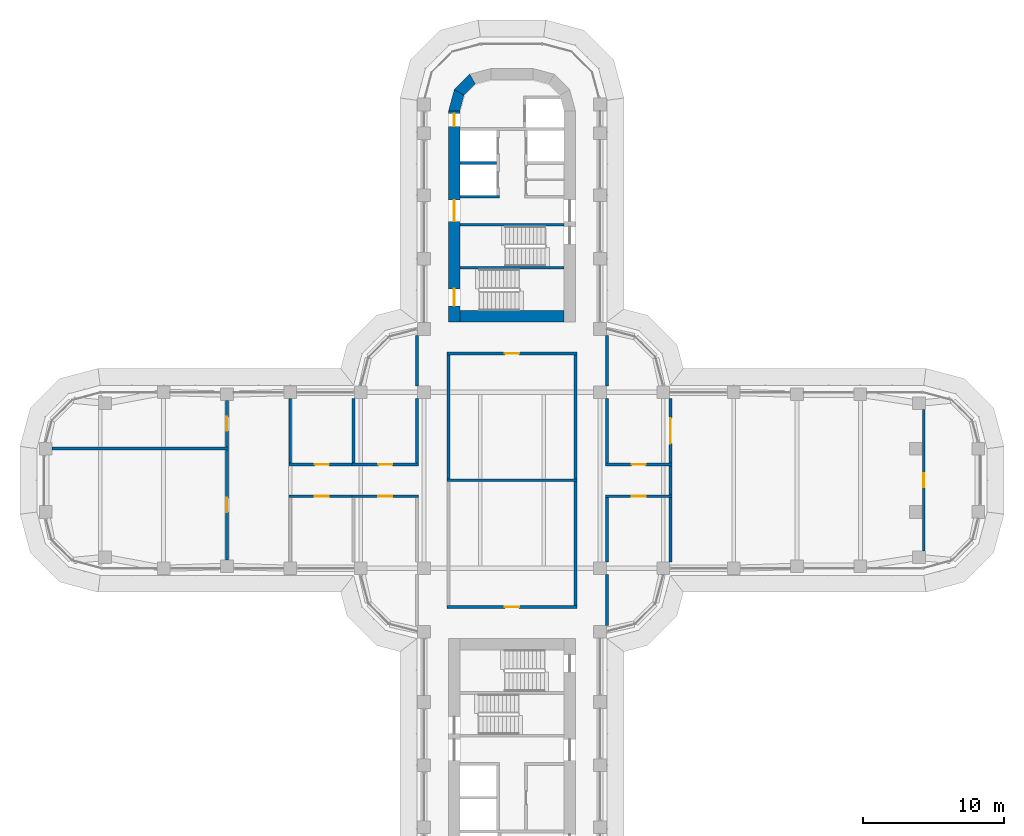
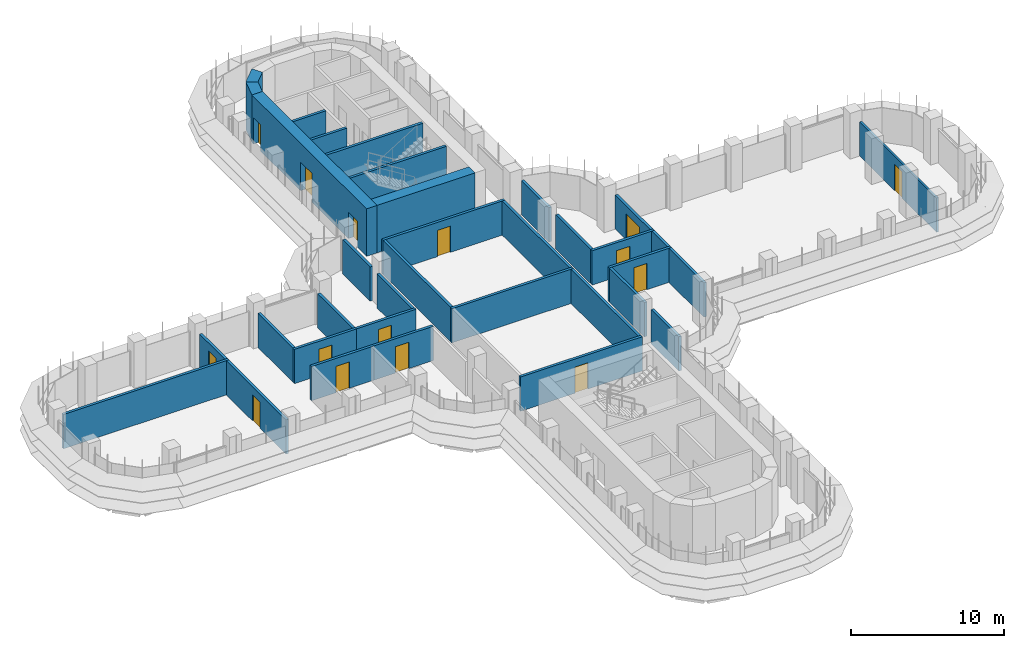
# One storey, part 16 of 21: 35 walls, 15 doors, 15 openings.
"""IFC4 building model written with IfcOpenShell, lengths in metres."""

from ifc_helpers import new_model, si_unit, direction, frame, frame_2d, origin, place, context, subcontext, project, spatial, polyline, rectangle, outline, extrude, material, layer, layer_set, type_object, element, fill, save


model = new_model("IFC4")

# Units and contexts
model_context = context("Model", 3, precision=1e-05, world=origin(), true_north=direction((0.0, 1.0)))
body_context = subcontext(model_context, "Body", "Model", "MODEL_VIEW")
ifc_project = project(units=[si_unit("LENGTHUNIT", "METRE"), si_unit("AREAUNIT", "SQUARE_METRE"), si_unit("VOLUMEUNIT", "CUBIC_METRE"), si_unit("PLANEANGLEUNIT", "RADIAN"), si_unit("MASSUNIT", "GRAM", prefix="KILO")], contexts=[model_context])

# Site, building, storey
site_placement = place(None, origin())
site = spatial("IfcSite", under=ifc_project, at=site_placement, CompositionType="ELEMENT")
building_placement = place(site_placement, origin())
building = spatial("IfcBuilding", under=site, at=building_placement, Name="Zarbagh Exchange Tower", CompositionType="ELEMENT")
storey_placement = place(building_placement, frame((0.0, 0.0, 120.800048828125)))
storey = spatial("IfcBuildingStorey", under=building, at=storey_placement, Name="L28", CompositionType="ELEMENT", Elevation=120.800048828125)

# Wall, opening, door
ifc_material_1 = material(Name="Plasterboard partition")
ifc_layer_1 = layer(ifc_material_1, 0.14990234375)
ifc_layer_set_1 = layer_set([ifc_layer_1], Name="PARTITION 150")
wall_type_1 = type_object("IfcWallType", Name="PARTITION 150", PredefinedType="PARTITIONING", material=ifc_layer_set_1)
wall_1_placement = place(storey_placement, frame((29.25, 5.02490234375, 0.0), z_axis=(0.0, 0.0, 1.0), x_axis=(0.0, -1.0, 0.0)))
wall_1 = element("IfcWall", 1, at=wall_1_placement, inside=storey, type_object=wall_type_1, Name="Partition W-1021", PredefinedType="PARTITIONING", context=body_context, shape_type="SweptSolid", body=[
    extrude(rectangle(XDim=10.0498046875, YDim=0.14990234375, at=frame_2d((5.02490234375, 0.0))), origin(), (0.0, 0.0, 1.0), 2.738037109375),
])
opening_1_placement = place(wall_1_placement, frame((4.52490234375, 0.0, 0.0)))
opening_1 = element("IfcOpeningElement", 2, at=opening_1_placement, cuts=wall_1, Name="Opening D-1003", PredefinedType="OPENING", context=body_context, shape_type="SweptSolid", body=[
    extrude(rectangle(XDim=1.0, YDim=2.10009765625, at=frame_2d((0.5, 1.050048828125))), frame((0.0, 0.0849609375, 0.0), z_axis=(0.0, -1.0, 0.0), x_axis=(1.0, 0.0, 0.0)), (0.0, 0.0, 1.0), 0.169921875),
])
ifc_material_2 = material(Name="Timber door leaf", Category="wood")
door_type_1 = type_object("IfcDoorType", Name="DOOR 1000 X 2100", OperationType="NOTDEFINED", PredefinedType="DOOR", material=ifc_material_2)
door_1_placement = place(opening_1_placement, origin())
door_1 = element("IfcDoor", 3, at=door_1_placement, inside=storey, type_object=door_type_1, Name="Door D-1003", OperationType="SINGLE_SWING_RIGHT", OverallHeight=2.10009765625, OverallWidth=1.0, PredefinedType="DOOR", context=body_context, shape_type="SweptSolid", body=[
    extrude(rectangle(XDim=1.0, YDim=2.10009765625, at=frame_2d((0.5, 1.050048828125))), frame((0.0, 0.02490234375, 0.0), z_axis=(0.0, -1.0, 0.0), x_axis=(1.0, 0.0, 0.0)), (0.0, 0.0, 1.0), 0.050048828125),
])
fill(opening_1, door_1)

# Walls
ifc_material_3 = material(Name="Fire-rated plasterboard partition")
ifc_layer_2 = layer(ifc_material_3, 0.199951171875)
ifc_layer_set_2 = layer_set([ifc_layer_2], Name="RATED PARTITION 200")
wall_type_2 = type_object("IfcWallType", Name="RATED PARTITION 200", PredefinedType="PARTITIONING", material=ifc_layer_set_2)
wall_2_placement = place(storey_placement, frame((-4.5, 0.10009765625, 0.0), z_axis=(0.0, 0.0, 1.0), x_axis=(0.0, 1.0, 0.0)))
element("IfcWall", 4, at=wall_2_placement, inside=storey, type_object=wall_type_2, Name="Partition W-1001", PredefinedType="PARTITIONING", context=body_context, shape_type="SweptSolid", body=[
    extrude(rectangle(XDim=8.7998046875, YDim=0.199951171875, at=frame_2d((4.39990234375, 0.0))), origin(), (0.0, 0.0, 1.0), 2.738037109375),
])
wall_3_placement = place(storey_placement, frame((-6.75, 1.22509765625, 0.0), z_axis=(0.0, 0.0, 1.0), x_axis=(0.0, 1.0, 0.0)))
element("IfcWall", 5, at=wall_3_placement, inside=storey, type_object=wall_type_2, Name="Partition W-1003", PredefinedType="PARTITIONING", context=body_context, shape_type="SweptSolid", body=[
    extrude(rectangle(XDim=4.574951171875, YDim=0.199951171875, at=frame_2d((2.28759765625, 0.0))), origin(), (0.0, 0.0, 1.0), 2.738037109375),
])
wall_4_placement = place(storey_placement, frame((-6.75, 6.699951171875, 0.0), z_axis=(0.0, 0.0, 1.0), x_axis=(0.0, 1.0, 0.0)))
element("IfcWall", 6, at=wall_4_placement, inside=storey, type_object=wall_type_2, Name="Partition W-1004", PredefinedType="PARTITIONING", context=body_context, shape_type="SweptSolid", body=[
    extrude(rectangle(XDim=3.60009765625, YDim=0.199951171875, at=frame_2d((1.800048828125, 0.0))), origin(), (0.0, 0.0, 1.0), 2.738037109375),
])
for number, where, z_axis, x_axis, name in (
    (7, (4.5, 0.10009765625, 0.0), (0.0, 0.0, 1.0), (0.0, 1.0, 0.0), "Partition W-1007"),
    (8, (4.5, -8.89990234375, 0.0), (0.0, 0.0, 1.0), (0.0, 1.0, 0.0), "Partition W-1008"),
):
    element("IfcWall", number, at=place(storey_placement, frame(where, z_axis=z_axis, x_axis=x_axis)), inside=storey, type_object=wall_type_2, Name=name, PredefinedType="PARTITIONING", context=body_context, shape_type="SweptSolid", body=[
        extrude(rectangle(XDim=8.7998046875, YDim=0.199951171875, at=frame_2d((4.39990234375, 0.0))), origin(), (0.0, 0.0, 1.0), 2.738037109375),
    ])
wall_5_placement = place(storey_placement, frame((6.75, 1.22509765625, 0.0), z_axis=(0.0, 0.0, 1.0), x_axis=(0.0, 1.0, 0.0)))
element("IfcWall", 9, at=wall_5_placement, inside=storey, type_object=wall_type_2, Name="Partition W-1009", PredefinedType="PARTITIONING", context=body_context, shape_type="SweptSolid", body=[
    extrude(rectangle(XDim=4.574951171875, YDim=0.199951171875, at=frame_2d((2.28759765625, 0.0))), origin(), (0.0, 0.0, 1.0), 2.738037109375),
])
for number, where, z_axis, x_axis, name in (
    (10, (6.75, 6.699951171875, 0.0), (0.0, 0.0, 1.0), (0.0, 1.0, 0.0), "Partition W-1010"),
    (11, (6.75, -10.300048828125, 0.0), (0.0, 0.0, 1.0), (0.0, 1.0, 0.0), "Partition W-1011"),
):
    element("IfcWall", number, at=place(storey_placement, frame(where, z_axis=z_axis, x_axis=x_axis)), inside=storey, type_object=wall_type_2, Name=name, PredefinedType="PARTITIONING", context=body_context, shape_type="SweptSolid", body=[
        extrude(rectangle(XDim=3.60009765625, YDim=0.199951171875, at=frame_2d((1.800048828125, 0.0))), origin(), (0.0, 0.0, 1.0), 2.738037109375),
    ])
wall_6_placement = place(storey_placement, frame((6.75, -5.800048828125, 0.0), z_axis=(0.0, 0.0, 1.0), x_axis=(0.0, 1.0, 0.0)))
element("IfcWall", 12, at=wall_6_placement, inside=storey, type_object=wall_type_2, Name="Partition W-1012", PredefinedType="PARTITIONING", context=body_context, shape_type="SweptSolid", body=[
    extrude(rectangle(XDim=4.574951171875, YDim=0.199951171875, at=frame_2d((2.28759765625, 0.0))), origin(), (0.0, 0.0, 1.0), 2.738037109375),
])

# Wall, opening, door
wall_7_placement = place(storey_placement, frame((4.60009765625, 9.0, 0.0), z_axis=(0.0, 0.0, 1.0), x_axis=(-1.0, 0.0, 0.0)))
wall_7 = element("IfcWall", 13, at=wall_7_placement, inside=storey, type_object=wall_type_2, Name="Partition W-1013", PredefinedType="PARTITIONING", context=body_context, shape_type="SweptSolid", body=[
    extrude(rectangle(XDim=9.2001953125, YDim=0.199951171875, at=frame_2d((4.60009765625, 0.0))), origin(), (0.0, 0.0, 1.0), 2.738037109375),
])
opening_2_placement = place(wall_7_placement, frame((4.10009765625, 0.0, 0.0)))
opening_2 = element("IfcOpeningElement", 14, at=opening_2_placement, cuts=wall_7, Name="Opening D-1001", PredefinedType="OPENING", context=body_context, shape_type="SweptSolid", body=[
    extrude(rectangle(XDim=1.0, YDim=2.10009765625, at=frame_2d((0.5, 1.050048828125))), frame((0.0, 0.10986328125, 0.0), z_axis=(0.0, -1.0, 0.0), x_axis=(1.0, 0.0, 0.0)), (0.0, 0.0, 1.0), 0.219970703125),
])
ifc_material_4 = material(Name="Steel door set", Category="steel")
door_type_2 = type_object("IfcDoorType", Name="FIRE DOOR 1000 X 2100 FD30S", OperationType="NOTDEFINED", PredefinedType="DOOR", material=ifc_material_4)
door_2_placement = place(opening_2_placement, origin())
door_2 = element("IfcDoor", 15, at=door_2_placement, inside=storey, type_object=door_type_2, Name="Door D-1001", OperationType="SINGLE_SWING_RIGHT", OverallHeight=2.10009765625, OverallWidth=1.0, PredefinedType="DOOR", context=body_context, shape_type="SweptSolid", body=[
    extrude(rectangle(XDim=1.0, YDim=2.10009765625, at=frame_2d((0.5, 1.050048828125))), frame((0.0, 0.02490234375, 0.0), z_axis=(0.0, -1.0, 0.0), x_axis=(1.0, 0.0, 0.0)), (0.0, 0.0, 1.0), 0.050048828125),
])
fill(opening_2, door_2)

wall_8_placement = place(storey_placement, frame((-4.60009765625, -9.0, 0.0), z_axis=(0.0, 0.0, 1.0), x_axis=(1.0, 0.0, 0.0)))
wall_8 = element("IfcWall", 16, at=wall_8_placement, inside=storey, type_object=wall_type_2, Name="Partition W-1014", PredefinedType="PARTITIONING", context=body_context, shape_type="SweptSolid", body=[
    extrude(rectangle(XDim=9.2001953125, YDim=0.199951171875, at=frame_2d((4.60009765625, 0.0))), origin(), (0.0, 0.0, 1.0), 2.738037109375),
])
opening_3_placement = place(wall_8_placement, frame((4.10009765625, 0.0, 0.0)))
opening_3 = element("IfcOpeningElement", 17, at=opening_3_placement, cuts=wall_8, Name="Opening D-1002", PredefinedType="OPENING", context=body_context, shape_type="SweptSolid", body=[
    extrude(rectangle(XDim=1.0, YDim=2.10009765625, at=frame_2d((0.5, 1.050048828125))), frame((0.0, 0.10986328125, 0.0), z_axis=(0.0, -1.0, 0.0), x_axis=(1.0, 0.0, 0.0)), (0.0, 0.0, 1.0), 0.219970703125),
])
door_3_placement = place(opening_3_placement, origin())
door_3 = element("IfcDoor", 18, at=door_3_placement, inside=storey, type_object=door_type_2, Name="Door D-1002", OperationType="SINGLE_SWING_RIGHT", OverallHeight=2.10009765625, OverallWidth=1.0, PredefinedType="DOOR", context=body_context, shape_type="SweptSolid", body=[
    extrude(rectangle(XDim=1.0, YDim=2.10009765625, at=frame_2d((0.5, 1.050048828125))), frame((0.0, 0.02490234375, 0.0), z_axis=(0.0, -1.0, 0.0), x_axis=(1.0, 0.0, 0.0)), (0.0, 0.0, 1.0), 0.050048828125),
])
fill(opening_3, door_3)

# Wall
wall_9_placement = place(storey_placement, frame((-4.60009765625, 0.0, 0.0), z_axis=(0.0, 0.0, 1.0), x_axis=(1.0, 0.0, 0.0)))
element("IfcWall", 19, at=wall_9_placement, inside=storey, type_object=wall_type_2, Name="Partition W-1015", PredefinedType="PARTITIONING", context=body_context, shape_type="SweptSolid", body=[
    extrude(rectangle(XDim=9.2001953125, YDim=0.199951171875, at=frame_2d((4.60009765625, 0.0))), origin(), (0.0, 0.0, 1.0), 2.738037109375),
])

# Wall, opening, door
wall_10_placement = place(storey_placement, frame((6.64990234375, 1.125, 0.0), z_axis=(0.0, 0.0, 1.0), x_axis=(1.0, 0.0, 0.0)))
wall_10 = element("IfcWall", 20, at=wall_10_placement, inside=storey, type_object=wall_type_2, Name="Partition W-1016", PredefinedType="PARTITIONING", context=body_context, shape_type="SweptSolid", body=[
    extrude(rectangle(XDim=4.7001953125, YDim=0.199951171875, at=frame_2d((2.35009765625, 0.0))), origin(), (0.0, 0.0, 1.0), 2.738037109375),
])
opening_4_placement = place(wall_10_placement, frame((1.85009765625, 0.0, 0.0)))
opening_4 = element("IfcOpeningElement", 21, at=opening_4_placement, cuts=wall_10, Name="Opening D-1005", PredefinedType="OPENING", context=body_context, shape_type="SweptSolid", body=[
    extrude(rectangle(XDim=1.0, YDim=2.10009765625, at=frame_2d((0.5, 1.050048828125))), frame((0.0, 0.10986328125, 0.0), z_axis=(0.0, -1.0, 0.0), x_axis=(1.0, 0.0, 0.0)), (0.0, 0.0, 1.0), 0.219970703125),
])
door_4_placement = place(opening_4_placement, origin())
door_4 = element("IfcDoor", 22, at=door_4_placement, inside=storey, type_object=door_type_2, Name="Door D-1005", OperationType="SINGLE_SWING_RIGHT", OverallHeight=2.10009765625, OverallWidth=1.0, PredefinedType="DOOR", context=body_context, shape_type="SweptSolid", body=[
    extrude(rectangle(XDim=1.0, YDim=2.10009765625, at=frame_2d((0.5, 1.050048828125))), frame((0.0, 0.02490234375, 0.0), z_axis=(0.0, -1.0, 0.0), x_axis=(1.0, 0.0, 0.0)), (0.0, 0.0, 1.0), 0.050048828125),
])
fill(opening_4, door_4)

wall_11_placement = place(storey_placement, frame((11.35009765625, -1.125, 0.0), z_axis=(0.0, 0.0, 1.0), x_axis=(-1.0, 0.0, 0.0)))
wall_11 = element("IfcWall", 23, at=wall_11_placement, inside=storey, type_object=wall_type_2, Name="Partition W-1017", PredefinedType="PARTITIONING", context=body_context, shape_type="SweptSolid", body=[
    extrude(rectangle(XDim=4.7001953125, YDim=0.199951171875, at=frame_2d((2.35009765625, 0.0))), origin(), (0.0, 0.0, 1.0), 2.738037109375),
])
opening_5_placement = place(wall_11_placement, frame((1.85009765625, 0.0, 0.0)))
opening_5 = element("IfcOpeningElement", 24, at=opening_5_placement, cuts=wall_11, Name="Opening D-1006", PredefinedType="OPENING", context=body_context, shape_type="SweptSolid", body=[
    extrude(rectangle(XDim=1.0, YDim=2.10009765625, at=frame_2d((0.5, 1.050048828125))), frame((0.0, 0.10986328125, 0.0), z_axis=(0.0, -1.0, 0.0), x_axis=(1.0, 0.0, 0.0)), (0.0, 0.0, 1.0), 0.219970703125),
])
door_5_placement = place(opening_5_placement, origin())
door_5 = element("IfcDoor", 25, at=door_5_placement, inside=storey, type_object=door_type_2, Name="Door D-1006", OperationType="SINGLE_SWING_RIGHT", OverallHeight=2.10009765625, OverallWidth=1.0, PredefinedType="DOOR", context=body_context, shape_type="SweptSolid", body=[
    extrude(rectangle(XDim=1.0, YDim=2.10009765625, at=frame_2d((0.5, 1.050048828125))), frame((0.0, 0.02490234375, 0.0), z_axis=(0.0, -1.0, 0.0), x_axis=(1.0, 0.0, 0.0)), (0.0, 0.0, 1.0), 0.050048828125),
])
fill(opening_5, door_5)

# Wall
wall_12_placement = place(storey_placement, frame((11.25, -1.02490234375, 0.0), z_axis=(0.0, 0.0, 1.0), x_axis=(0.0, 1.0, 0.0)))
element("IfcWall", 26, at=wall_12_placement, inside=storey, type_object=wall_type_2, Name="Partition W-1018", PredefinedType="PARTITIONING", context=body_context, shape_type="SweptSolid", body=[
    extrude(rectangle(XDim=2.0498046875, YDim=0.199951171875, at=frame_2d((1.02490234375, 0.0))), origin(), (0.0, 0.0, 1.0), 2.738037109375),
])

# Wall, opening, door
wall_13_placement = place(storey_placement, frame((11.25, 5.800048828125, 0.0), z_axis=(0.0, 0.0, 1.0), x_axis=(0.0, -1.0, 0.0)))
wall_13 = element("IfcWall", 27, at=wall_13_placement, inside=storey, type_object=wall_type_2, Name="Partition W-1019", PredefinedType="PARTITIONING", context=body_context, shape_type="SweptSolid", body=[
    extrude(rectangle(XDim=4.574951171875, YDim=0.199951171875, at=frame_2d((2.28759765625, 0.0))), origin(), (0.0, 0.0, 1.0), 2.738037109375),
])
opening_6_placement = place(wall_13_placement, frame((1.387451171875, 0.0, 0.0)))
opening_6 = element("IfcOpeningElement", 28, at=opening_6_placement, cuts=wall_13, Name="Opening D-1004", PredefinedType="OPENING", context=body_context, shape_type="SweptSolid", body=[
    extrude(rectangle(XDim=1.800048828125, YDim=2.10009765625, at=frame_2d((0.89990234375, 1.050048828125))), frame((0.0, 0.10986328125, 0.0), z_axis=(0.0, -1.0, 0.0), x_axis=(1.0, 0.0, 0.0)), (0.0, 0.0, 1.0), 0.219970703125),
])
door_type_3 = type_object("IfcDoorType", Name="FIRE DOUBLE DOOR 1800 X 2100 FD30S", OperationType="DOUBLE_DOOR_SINGLE_SWING", PredefinedType="DOOR", material=ifc_material_4)
door_6_placement = place(opening_6_placement, origin())
door_6 = element("IfcDoor", 29, at=door_6_placement, inside=storey, type_object=door_type_3, Name="Door D-1004", OperationType="DOUBLE_DOOR_SINGLE_SWING", OverallHeight=2.10009765625, OverallWidth=1.800048828125, PredefinedType="DOOR", context=body_context, shape_type="SweptSolid", body=[
    extrude(rectangle(XDim=1.800048828125, YDim=2.10009765625, at=frame_2d((0.89990234375, 1.050048828125))), frame((0.0, 0.02490234375, 0.0), z_axis=(0.0, -1.0, 0.0), x_axis=(1.0, 0.0, 0.0)), (0.0, 0.0, 1.0), 0.050048828125),
])
fill(opening_6, door_6)

# Wall
wall_14_placement = place(storey_placement, frame((11.25, -5.800048828125, 0.0), z_axis=(0.0, 0.0, 1.0), x_axis=(0.0, 1.0, 0.0)))
element("IfcWall", 30, at=wall_14_placement, inside=storey, type_object=wall_type_2, Name="Partition W-1020", PredefinedType="PARTITIONING", context=body_context, shape_type="SweptSolid", body=[
    extrude(rectangle(XDim=4.574951171875, YDim=0.199951171875, at=frame_2d((2.28759765625, 0.0))), origin(), (0.0, 0.0, 1.0), 2.738037109375),
])

# Wall, opening, door
wall_15_placement = place(storey_placement, frame((-11.35009765625, 1.125, 0.0), z_axis=(0.0, 0.0, 1.0), x_axis=(1.0, 0.0, 0.0)))
wall_15 = element("IfcWall", 31, at=wall_15_placement, inside=storey, type_object=wall_type_2, Name="Partition W-1022", PredefinedType="PARTITIONING", context=body_context, shape_type="SweptSolid", body=[
    extrude(rectangle(XDim=4.7001953125, YDim=0.199951171875, at=frame_2d((2.35009765625, 0.0))), origin(), (0.0, 0.0, 1.0), 2.738037109375),
])
opening_7_placement = place(wall_15_placement, frame((1.85009765625, 0.0, 0.0)))
opening_7 = element("IfcOpeningElement", 32, at=opening_7_placement, cuts=wall_15, Name="Opening D-1007", PredefinedType="OPENING", context=body_context, shape_type="SweptSolid", body=[
    extrude(rectangle(XDim=1.0, YDim=2.10009765625, at=frame_2d((0.5, 1.050048828125))), frame((0.0, 0.10986328125, 0.0), z_axis=(0.0, -1.0, 0.0), x_axis=(1.0, 0.0, 0.0)), (0.0, 0.0, 1.0), 0.219970703125),
])
door_7_placement = place(opening_7_placement, origin())
door_7 = element("IfcDoor", 33, at=door_7_placement, inside=storey, type_object=door_type_2, Name="Door D-1007", OperationType="SINGLE_SWING_RIGHT", OverallHeight=2.10009765625, OverallWidth=1.0, PredefinedType="DOOR", context=body_context, shape_type="SweptSolid", body=[
    extrude(rectangle(XDim=1.0, YDim=2.10009765625, at=frame_2d((0.5, 1.050048828125))), frame((0.0, 0.02490234375, 0.0), z_axis=(0.0, -1.0, 0.0), x_axis=(1.0, 0.0, 0.0)), (0.0, 0.0, 1.0), 0.050048828125),
])
fill(opening_7, door_7)

wall_16_placement = place(storey_placement, frame((-6.64990234375, -1.125, 0.0), z_axis=(0.0, 0.0, 1.0), x_axis=(-1.0, 0.0, 0.0)))
wall_16 = element("IfcWall", 34, at=wall_16_placement, inside=storey, type_object=wall_type_2, Name="Partition W-1023", PredefinedType="PARTITIONING", context=body_context, shape_type="SweptSolid", body=[
    extrude(rectangle(XDim=4.7001953125, YDim=0.199951171875, at=frame_2d((2.35009765625, 0.0))), origin(), (0.0, 0.0, 1.0), 2.738037109375),
])
opening_8_placement = place(wall_16_placement, frame((1.85009765625, 0.0, 0.0)))
opening_8 = element("IfcOpeningElement", 35, at=opening_8_placement, cuts=wall_16, Name="Opening D-1009", PredefinedType="OPENING", context=body_context, shape_type="SweptSolid", body=[
    extrude(rectangle(XDim=1.0, YDim=2.10009765625, at=frame_2d((0.5, 1.050048828125))), frame((0.0, 0.10986328125, 0.0), z_axis=(0.0, -1.0, 0.0), x_axis=(1.0, 0.0, 0.0)), (0.0, 0.0, 1.0), 0.219970703125),
])
door_8_placement = place(opening_8_placement, origin())
door_8 = element("IfcDoor", 36, at=door_8_placement, inside=storey, type_object=door_type_2, Name="Door D-1009", OperationType="SINGLE_SWING_RIGHT", OverallHeight=2.10009765625, OverallWidth=1.0, PredefinedType="DOOR", context=body_context, shape_type="SweptSolid", body=[
    extrude(rectangle(XDim=1.0, YDim=2.10009765625, at=frame_2d((0.5, 1.050048828125))), frame((0.0, 0.02490234375, 0.0), z_axis=(0.0, -1.0, 0.0), x_axis=(1.0, 0.0, 0.0)), (0.0, 0.0, 1.0), 0.050048828125),
])
fill(opening_8, door_8)

wall_17_placement = place(storey_placement, frame((-15.85009765625, 1.125, 0.0), z_axis=(0.0, 0.0, 1.0), x_axis=(1.0, 0.0, 0.0)))
wall_17 = element("IfcWall", 37, at=wall_17_placement, inside=storey, type_object=wall_type_2, Name="Partition W-1024", PredefinedType="PARTITIONING", context=body_context, shape_type="SweptSolid", body=[
    extrude(rectangle(XDim=4.7001953125, YDim=0.199951171875, at=frame_2d((2.35009765625, 0.0))), origin(), (0.0, 0.0, 1.0), 2.738037109375),
])
opening_9_placement = place(wall_17_placement, frame((1.85009765625, 0.0, 0.0)))
opening_9 = element("IfcOpeningElement", 38, at=opening_9_placement, cuts=wall_17, Name="Opening D-1008", PredefinedType="OPENING", context=body_context, shape_type="SweptSolid", body=[
    extrude(rectangle(XDim=1.0, YDim=2.10009765625, at=frame_2d((0.5, 1.050048828125))), frame((0.0, 0.10986328125, 0.0), z_axis=(0.0, -1.0, 0.0), x_axis=(1.0, 0.0, 0.0)), (0.0, 0.0, 1.0), 0.219970703125),
])
door_9_placement = place(opening_9_placement, origin())
door_9 = element("IfcDoor", 39, at=door_9_placement, inside=storey, type_object=door_type_2, Name="Door D-1008", OperationType="SINGLE_SWING_RIGHT", OverallHeight=2.10009765625, OverallWidth=1.0, PredefinedType="DOOR", context=body_context, shape_type="SweptSolid", body=[
    extrude(rectangle(XDim=1.0, YDim=2.10009765625, at=frame_2d((0.5, 1.050048828125))), frame((0.0, 0.02490234375, 0.0), z_axis=(0.0, -1.0, 0.0), x_axis=(1.0, 0.0, 0.0)), (0.0, 0.0, 1.0), 0.050048828125),
])
fill(opening_9, door_9)

wall_18_placement = place(storey_placement, frame((-11.14990234375, -1.125, 0.0), z_axis=(0.0, 0.0, 1.0), x_axis=(-1.0, 0.0, 0.0)))
wall_18 = element("IfcWall", 40, at=wall_18_placement, inside=storey, type_object=wall_type_2, Name="Partition W-1025", PredefinedType="PARTITIONING", context=body_context, shape_type="SweptSolid", body=[
    extrude(rectangle(XDim=4.7001953125, YDim=0.199951171875, at=frame_2d((2.35009765625, 0.0))), origin(), (0.0, 0.0, 1.0), 2.738037109375),
])
opening_10_placement = place(wall_18_placement, frame((1.85009765625, 0.0, 0.0)))
opening_10 = element("IfcOpeningElement", 41, at=opening_10_placement, cuts=wall_18, Name="Opening D-1010", PredefinedType="OPENING", context=body_context, shape_type="SweptSolid", body=[
    extrude(rectangle(XDim=1.0, YDim=2.10009765625, at=frame_2d((0.5, 1.050048828125))), frame((0.0, 0.10986328125, 0.0), z_axis=(0.0, -1.0, 0.0), x_axis=(1.0, 0.0, 0.0)), (0.0, 0.0, 1.0), 0.219970703125),
])
door_10_placement = place(opening_10_placement, origin())
door_10 = element("IfcDoor", 42, at=door_10_placement, inside=storey, type_object=door_type_2, Name="Door D-1010", OperationType="SINGLE_SWING_RIGHT", OverallHeight=2.10009765625, OverallWidth=1.0, PredefinedType="DOOR", context=body_context, shape_type="SweptSolid", body=[
    extrude(rectangle(XDim=1.0, YDim=2.10009765625, at=frame_2d((0.5, 1.050048828125))), frame((0.0, 0.02490234375, 0.0), z_axis=(0.0, -1.0, 0.0), x_axis=(1.0, 0.0, 0.0)), (0.0, 0.0, 1.0), 0.050048828125),
])
fill(opening_10, door_10)

# Walls
for number, where, z_axis, x_axis, name in (
    (43, (-11.25, 1.22509765625, 0.0), (0.0, 0.0, 1.0), (0.0, 1.0, 0.0), "Partition W-1026"),
    (44, (-15.75, 1.22509765625, 0.0), (0.0, 0.0, 1.0), (0.0, 1.0, 0.0), "Partition W-1028"),
):
    element("IfcWall", number, at=place(storey_placement, frame(where, z_axis=z_axis, x_axis=x_axis)), inside=storey, type_object=wall_type_2, Name=name, PredefinedType="PARTITIONING", context=body_context, shape_type="SweptSolid", body=[
        extrude(rectangle(XDim=4.574951171875, YDim=0.199951171875, at=frame_2d((2.28759765625, 0.0))), origin(), (0.0, 0.0, 1.0), 2.738037109375),
    ])

# Wall, opening, door
wall_19_placement = place(storey_placement, frame((-20.25, -5.659912109375, 0.0), z_axis=(0.0, 0.0, 1.0), x_axis=(0.0, 1.0, 0.0)))
wall_19 = element("IfcWall", 45, at=wall_19_placement, inside=storey, type_object=wall_type_2, Name="Partition W-1030", PredefinedType="PARTITIONING", context=body_context, shape_type="SweptSolid", body=[
    extrude(rectangle(XDim=7.809814453125, YDim=0.199951171875, at=frame_2d((3.90478515625, 0.0))), origin(), (0.0, 0.0, 1.0), 2.738037109375),
])
opening_11_placement = place(wall_19_placement, frame((3.405029296875, 0.0, 0.0)))
opening_11 = element("IfcOpeningElement", 46, at=opening_11_placement, cuts=wall_19, Name="Opening D-1011", PredefinedType="OPENING", context=body_context, shape_type="SweptSolid", body=[
    extrude(rectangle(XDim=1.0, YDim=2.10009765625, at=frame_2d((0.5, 1.050048828125))), frame((0.0, 0.10986328125, 0.0), z_axis=(0.0, -1.0, 0.0), x_axis=(1.0, 0.0, 0.0)), (0.0, 0.0, 1.0), 0.219970703125),
])
door_11_placement = place(opening_11_placement, origin())
door_11 = element("IfcDoor", 47, at=door_11_placement, inside=storey, type_object=door_type_2, Name="Door D-1011", OperationType="SINGLE_SWING_RIGHT", OverallHeight=2.10009765625, OverallWidth=1.0, PredefinedType="DOOR", context=body_context, shape_type="SweptSolid", body=[
    extrude(rectangle(XDim=1.0, YDim=2.10009765625, at=frame_2d((0.5, 1.050048828125))), frame((0.0, 0.02490234375, 0.0), z_axis=(0.0, -1.0, 0.0), x_axis=(1.0, 0.0, 0.0)), (0.0, 0.0, 1.0), 0.050048828125),
])
fill(opening_11, door_11)

wall_20_placement = place(storey_placement, frame((-20.25, 2.35009765625, 0.0), z_axis=(0.0, 0.0, 1.0), x_axis=(0.0, 1.0, 0.0)))
wall_20 = element("IfcWall", 48, at=wall_20_placement, inside=storey, type_object=wall_type_2, Name="Partition W-1031", PredefinedType="PARTITIONING", context=body_context, shape_type="SweptSolid", body=[
    extrude(rectangle(XDim=3.309814453125, YDim=0.199951171875, at=frame_2d((1.65478515625, 0.0))), origin(), (0.0, 0.0, 1.0), 2.738037109375),
])
opening_12_placement = place(wall_20_placement, frame((1.155029296875, 0.0, 0.0)))
opening_12 = element("IfcOpeningElement", 49, at=opening_12_placement, cuts=wall_20, Name="Opening D-1012", PredefinedType="OPENING", context=body_context, shape_type="SweptSolid", body=[
    extrude(rectangle(XDim=1.0, YDim=2.10009765625, at=frame_2d((0.5, 1.050048828125))), frame((0.0, 0.10986328125, 0.0), z_axis=(0.0, -1.0, 0.0), x_axis=(1.0, 0.0, 0.0)), (0.0, 0.0, 1.0), 0.219970703125),
])
door_12_placement = place(opening_12_placement, origin())
door_12 = element("IfcDoor", 50, at=door_12_placement, inside=storey, type_object=door_type_2, Name="Door D-1012", OperationType="SINGLE_SWING_LEFT", OverallHeight=2.10009765625, OverallWidth=1.0, PredefinedType="DOOR", context=body_context, shape_type="SweptSolid", body=[
    extrude(rectangle(XDim=1.0, YDim=2.10009765625, at=frame_2d((0.5, 1.050048828125))), frame((0.0, 0.02490234375, 0.0), z_axis=(0.0, -1.0, 0.0), x_axis=(1.0, 0.0, 0.0)), (0.0, 0.0, 1.0), 0.050048828125),
])
fill(opening_12, door_12)

# Walls
wall_21_placement = place(storey_placement, frame((-32.659912109375, 2.25, 0.0), z_axis=(0.0, 0.0, 1.0), x_axis=(1.0, 0.0, 0.0)))
element("IfcWall", 51, at=wall_21_placement, inside=storey, type_object=wall_type_2, Name="Partition W-1032", PredefinedType="PARTITIONING", context=body_context, shape_type="SweptSolid", body=[
    extrude(rectangle(XDim=12.510009765625, YDim=0.199951171875, at=frame_2d((6.2548828125, 0.0))), origin(), (0.0, 0.0, 1.0), 2.738037109375),
])
ifc_material_5 = material(Name="Concrete C60/75", Category="concrete")
ifc_layer_3 = layer(ifc_material_5, 0.800048828125)
ifc_layer_set_3 = layer_set([ifc_layer_3], Name="RC core corner wall 800 C60/75")
wall_type_3 = type_object("IfcWallType", Name="RC core corner wall 800 C60/75", PredefinedType="SHEAR", material=ifc_layer_set_3)
wall_22_placement = place(storey_placement, origin())
element("IfcWall", 52, at=wall_22_placement, inside=storey, type_object=wall_type_3, Name="CW4 core N corner W", PredefinedType="SHEAR", context=body_context, shape_type="SweptSolid", body=[
    extrude(outline(polyline([(-4.5, 26.25), (-4.09814453125, 27.75), (-3.4052734375, 27.35009765625), (-3.699951171875, 26.25), (-4.5, 26.25)])), origin(), (0.0, 0.0, 1.0), 3.800048828125),
])
wall_23_placement = place(storey_placement, origin())
element("IfcWall", 53, at=wall_23_placement, inside=storey, type_object=wall_type_3, Name="CW4 core N corner W", PredefinedType="SHEAR", context=body_context, shape_type="SweptSolid", body=[
    extrude(outline(polyline([(-4.09814453125, 27.75), (-3.0, 28.84814453125), (-2.60009765625, 28.1552734375), (-3.4052734375, 27.35009765625), (-4.09814453125, 27.75)])), origin(), (0.0, 0.0, 1.0), 3.800048828125),
])

# Wall, openings, doors
ifc_layer_4 = layer(ifc_material_5, 0.800048828125)
ifc_layer_set_4 = layer_set([ifc_layer_4], Name="RC core wall 800 C60/75")
wall_type_4 = type_object("IfcWallType", Name="RC core wall 800 C60/75", PredefinedType="SHEAR", material=ifc_layer_set_4)
wall_24_placement = place(storey_placement, frame((-4.10009765625, 11.25, 0.0), z_axis=(0.0, 0.0, 1.0), x_axis=(0.0, 1.0, 0.0)))
wall_24 = element("IfcWall", 54, at=wall_24_placement, inside=storey, type_object=wall_type_4, Name="CW3 core N W", PredefinedType="SHEAR", context=body_context, shape_type="SweptSolid", body=[
    extrude(rectangle(XDim=15.0, YDim=0.800048828125, at=frame_2d((7.5, 0.0))), origin(), (0.0, 0.0, 1.0), 3.800048828125),
])
opening_13_placement = place(wall_24_placement, frame((7.14990234375, 0.0, 0.0)))
opening_13 = element("IfcOpeningElement", 55, at=opening_13_placement, cuts=wall_24, Name="Opening CD1-1500", PredefinedType="OPENING", context=body_context, shape_type="SweptSolid", body=[
    extrude(rectangle(XDim=1.5, YDim=2.300048828125, at=frame_2d((0.75, 1.14990234375))), frame((0.0, 0.409912109375, 0.0), z_axis=(0.0, -1.0, 0.0), x_axis=(1.0, 0.0, 0.0)), (0.0, 0.0, 1.0), 0.820068359375),
])
opening_14_placement = place(wall_24_placement, frame((13.89990234375, 0.0, 0.0)))
opening_14 = element("IfcOpeningElement", 56, at=opening_14_placement, cuts=wall_24, Name="Opening CD2-900", PredefinedType="OPENING", context=body_context, shape_type="SweptSolid", body=[
    extrude(rectangle(XDim=0.89990234375, YDim=2.10009765625, at=frame_2d((0.449951171875, 1.050048828125))), frame((0.0, 0.409912109375, 0.0), z_axis=(0.0, -1.0, 0.0), x_axis=(1.0, 0.0, 0.0)), (0.0, 0.0, 1.0), 0.820068359375),
])
opening_15_placement = place(wall_24_placement, frame((1.14990234375, 0.0, 0.0)))
opening_15 = element("IfcOpeningElement", 57, at=opening_15_placement, cuts=wall_24, Name="Opening SD1-1200", PredefinedType="OPENING", context=body_context, shape_type="SweptSolid", body=[
    extrude(rectangle(XDim=1.199951171875, YDim=2.10009765625, at=frame_2d((0.60009765625, 1.050048828125))), frame((0.0, 0.409912109375, 0.0), z_axis=(0.0, -1.0, 0.0), x_axis=(1.0, 0.0, 0.0)), (0.0, 0.0, 1.0), 0.820068359375),
])
ifc_material_6 = material(Name="Steel", Category="steel")
door_type_4 = type_object("IfcDoorType", Name="Exit stair door 1200 x 2100", OperationType="NOTDEFINED", PredefinedType="DOOR", material=ifc_material_6)
door_13_placement = place(opening_15_placement, origin())
door_13 = element("IfcDoor", 58, at=door_13_placement, inside=storey, type_object=door_type_4, Name="North core stair door ST2", OperationType="SINGLE_SWING_LEFT", OverallHeight=2.10009765625, OverallWidth=1.199951171875, PredefinedType="DOOR", context=body_context, shape_type="SweptSolid", body=[
    extrude(rectangle(XDim=1.199951171875, YDim=2.10009765625, at=frame_2d((0.60009765625, 1.050048828125))), frame((0.0, 0.02490234375, 0.0), z_axis=(0.0, -1.0, 0.0), x_axis=(1.0, 0.0, 0.0)), (0.0, 0.0, 1.0), 0.050048828125),
])
fill(opening_15, door_13)
door_type_5 = type_object("IfcDoorType", Name="Firefighting lobby door 900 x 2100", OperationType="NOTDEFINED", PredefinedType="DOOR", material=ifc_material_6)
door_14_placement = place(opening_14_placement, origin())
door_14 = element("IfcDoor", 59, at=door_14_placement, inside=storey, type_object=door_type_5, Name="North core firefighting lobby door FF-W", OperationType="SINGLE_SWING_RIGHT", OverallHeight=2.10009765625, OverallWidth=0.89990234375, PredefinedType="DOOR", context=body_context, shape_type="SweptSolid", body=[
    extrude(rectangle(XDim=0.89990234375, YDim=2.10009765625, at=frame_2d((0.449951171875, 1.050048828125))), frame((0.0, 0.02490234375, 0.0), z_axis=(0.0, -1.0, 0.0), x_axis=(1.0, 0.0, 0.0)), (0.0, 0.0, 1.0), 0.050048828125),
])
fill(opening_14, door_14)
door_type_6 = type_object("IfcDoorType", Name="Lift lobby double door 1500 x 2300", OperationType="NOTDEFINED", PredefinedType="DOOR", material=ifc_material_6)
door_15_placement = place(opening_13_placement, origin())
door_15 = element("IfcDoor", 60, at=door_15_placement, inside=storey, type_object=door_type_6, Name="North core lift lobby door LOBBY-W", OperationType="DOUBLE_DOOR_SINGLE_SWING", OverallHeight=2.300048828125, OverallWidth=1.5, PredefinedType="DOOR", context=body_context, shape_type="SweptSolid", body=[
    extrude(rectangle(XDim=1.5, YDim=2.300048828125, at=frame_2d((0.75, 1.14990234375))), frame((0.0, 0.02490234375, 0.0), z_axis=(0.0, -1.0, 0.0), x_axis=(1.0, 0.0, 0.0)), (0.0, 0.0, 1.0), 0.050048828125),
])
fill(opening_13, door_15)

# Walls
wall_25_placement = place(storey_placement, frame((-3.699951171875, 11.64990234375, 0.0), z_axis=(0.0, 0.0, 1.0), x_axis=(1.0, 0.0, 0.0)))
element("IfcWall", 61, at=wall_25_placement, inside=storey, type_object=wall_type_4, Name="CW3 core N inner end", PredefinedType="SHEAR", context=body_context, shape_type="SweptSolid", body=[
    extrude(rectangle(XDim=7.39990234375, YDim=0.800048828125, at=frame_2d((3.699951171875, 0.0))), origin(), (0.0, 0.0, 1.0), 3.800048828125),
])
ifc_material_7 = material(Name="Dense blockwork", Category="masonry")
ifc_layer_5 = layer(ifc_material_7, 0.199951171875)
ifc_layer_set_5 = layer_set([ifc_layer_5], Name="Shaft wall 200 mm blockwork")
wall_type_5 = type_object("IfcWallType", Name="Shaft wall 200 mm blockwork", PredefinedType="PARTITIONING", material=ifc_layer_set_5)
wall_26_placement = place(storey_placement, frame((-3.699951171875, 20.14990234375, 0.0), z_axis=(0.0, 0.0, 1.0), x_axis=(1.0, 0.0, 0.0)))
element("IfcWall", 62, at=wall_26_placement, inside=storey, type_object=wall_type_5, Name="North core shaft wall AB-W", PredefinedType="PARTITIONING", context=body_context, shape_type="SweptSolid", body=[
    extrude(rectangle(XDim=2.800048828125, YDim=0.199951171875, at=frame_2d((1.39990234375, 0.0))), origin(), (0.0, 0.0, 1.0), 3.64990234375),
])
wall_27_placement = place(storey_placement, frame((-3.699951171875, 22.550048828125, 0.0), z_axis=(0.0, 0.0, 1.0), x_axis=(1.0, 0.0, 0.0)))
element("IfcWall", 63, at=wall_27_placement, inside=storey, type_object=wall_type_5, Name="North core shaft wall TR-W", PredefinedType="PARTITIONING", context=body_context, shape_type="SweptSolid", body=[
    extrude(rectangle(XDim=2.599853515625, YDim=0.199951171875, at=frame_2d((1.2998046875, 0.0))), origin(), (0.0, 0.0, 1.0), 3.64990234375),
])
ifc_material_8 = material(Name="Concrete C40/50", Category="concrete")
ifc_layer_6 = layer(ifc_material_8, 0.199951171875)
ifc_layer_set_6 = layer_set([ifc_layer_6], Name="Stair enclosure wall 200 mm RC C40/50")
wall_type_6 = type_object("IfcWallType", Name="Stair enclosure wall 200 mm RC C40/50", PredefinedType="SHEAR", material=ifc_layer_set_6)
for number, where, z_axis, x_axis, name in (
    (64, (-3.699951171875, 18.14990234375, 0.0), (0.0, 0.0, 1.0), (1.0, 0.0, 0.0), "North core stair wall BS"),
    (65, (-3.699951171875, 15.10009765625, 0.0), (0.0, 0.0, 1.0), (1.0, 0.0, 0.0), "North core stair wall ST12"),
):
    element("IfcWall", number, at=place(storey_placement, frame(where, z_axis=z_axis, x_axis=x_axis)), inside=storey, type_object=wall_type_6, Name=name, PredefinedType="SHEAR", context=body_context, shape_type="SweptSolid", body=[
        extrude(rectangle(XDim=7.39990234375, YDim=0.199951171875, at=frame_2d((3.699951171875, 0.0))), origin(), (0.0, 0.0, 1.0), 3.64990234375),
    ])

save(model, "model.ifc")
